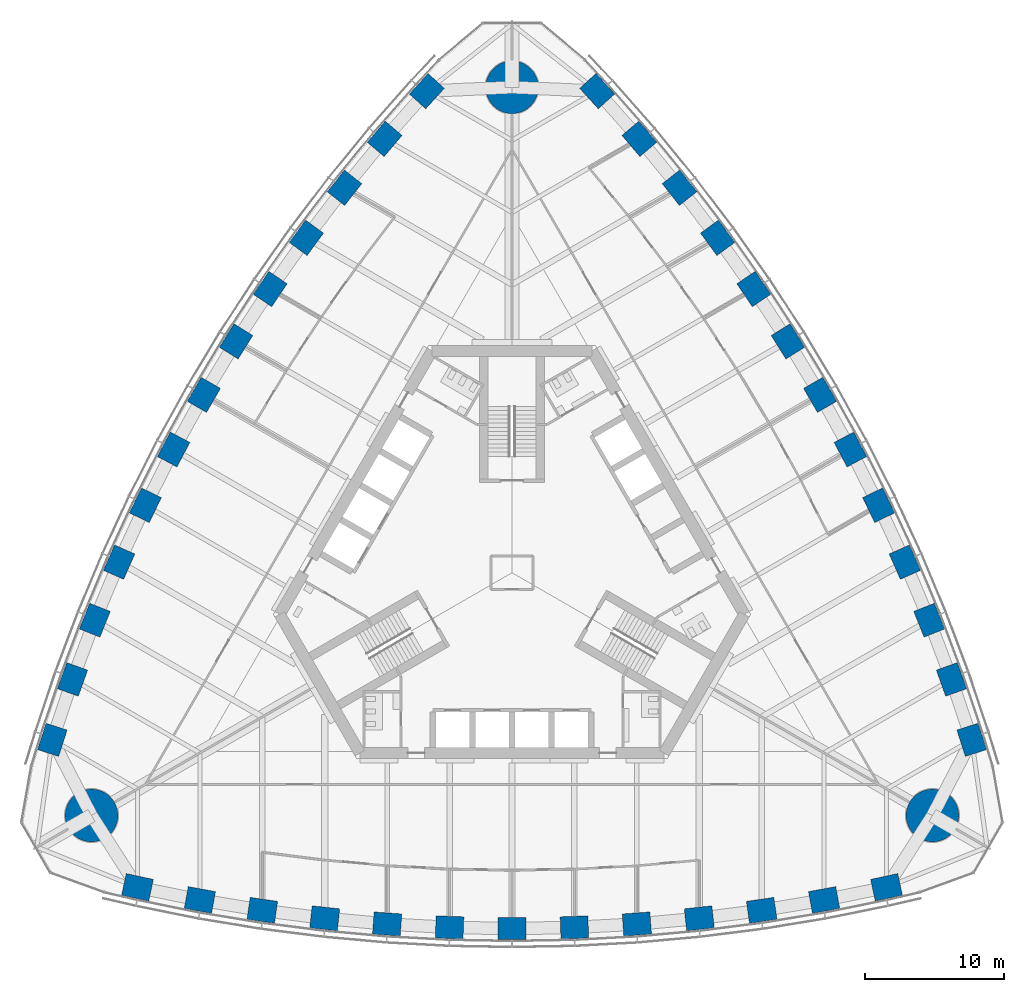
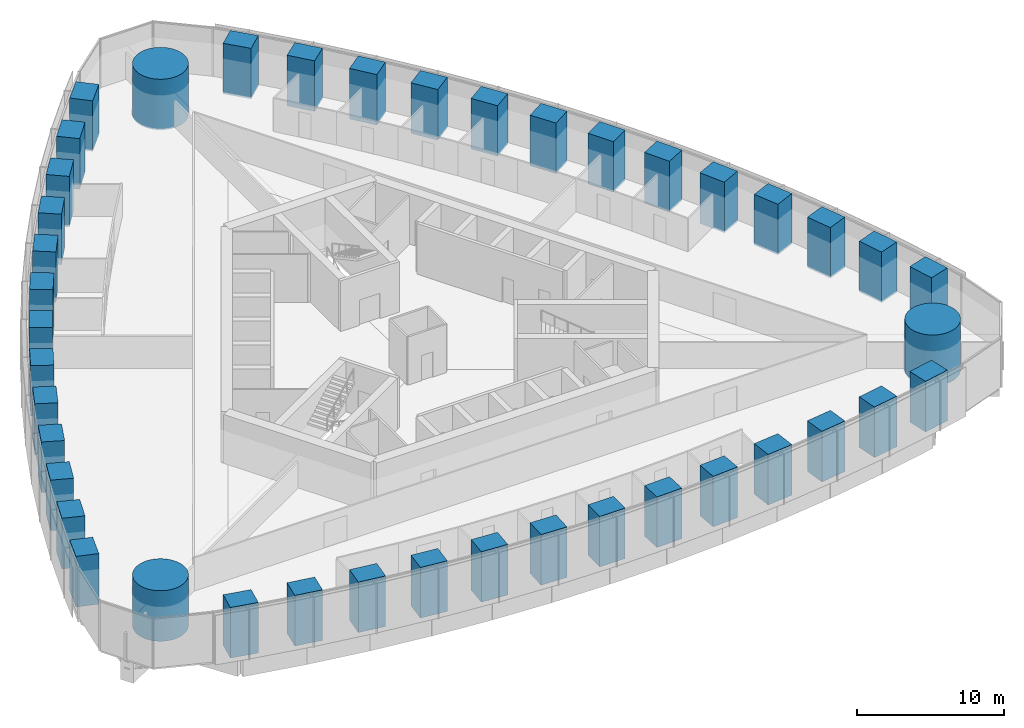
# One storey, part 1 of 19: 42 columns.
"""IFC4 building model written with IfcOpenShell, lengths in metres."""

from ifc_helpers import new_model, si_unit, direction, frame, origin, origin_2d, place, context, subcontext, project, spatial, rectangle, circle, extrude, material, material_profile, profile_set, type_object, element, save


model = new_model("IFC4")

# Units and contexts
model_context = context("Model", 3, precision=1e-05, world=origin(), true_north=direction((0.0, 1.0)))
body_context = subcontext(model_context, "Body", "Model", "MODEL_VIEW")
ifc_project = project(units=[si_unit("LENGTHUNIT", "METRE"), si_unit("AREAUNIT", "SQUARE_METRE"), si_unit("VOLUMEUNIT", "CUBIC_METRE"), si_unit("PLANEANGLEUNIT", "RADIAN"), si_unit("MASSUNIT", "GRAM", prefix="KILO")], contexts=[model_context])

# Site, building, storey
site_placement = place(None, origin())
site = spatial("IfcSite", under=ifc_project, at=site_placement, CompositionType="ELEMENT")
building_placement = place(site_placement, origin())
building = spatial("IfcBuilding", under=site, at=building_placement, Name="Trefoil Bronze Tower", CompositionType="ELEMENT")
storey_placement = place(building_placement, frame((0.0, 0.0, 166.10009765625)))
storey = spatial("IfcBuildingStorey", under=building, at=storey_placement, Name="L38", CompositionType="ELEMENT", Elevation=166.10009765625)

# Columns
ifc_material_1 = material(Name="Concrete B80", Category="concrete")
ifc_material_profile_1 = material_profile(ifc_material_1, circle(Radius=1.89990234375, at=origin_2d()), Name="RC D3800")
ifc_profile_set_1 = profile_set([ifc_material_profile_1], Name="Concrete B80")
column_type_1 = type_object("IfcColumnType", Name="Mega column RC D3800", PredefinedType="COLUMN", material=ifc_profile_set_1)
for number, where, z_axis, x_axis, name in (
    (1, (30.310791015625, -17.5, 0.0), (0.0, 0.0, 1.0), (1.0, 0.0, 0.0), "Mega column K1 L38"),
    (2, (0.0, 35.0, 0.0), (0.0, 0.0, 1.0), (1.0, 0.0, 0.0), "Mega column K2 L38"),
    (3, (-30.310791015625, -17.5, 0.0), (0.0, 0.0, 1.0), (1.0, 0.0, 0.0), "Mega column K3 L38"),
):
    element("IfcColumn", number, at=place(storey_placement, frame(where, z_axis=z_axis, x_axis=x_axis)), inside=storey, type_object=column_type_1, Name=name, PredefinedType="COLUMN", context=body_context, shape_type="SweptSolid", body=[
        extrude(circle(Radius=1.89990234375, at=origin_2d()), origin(), (0.0, 0.0, 1.0), 4.199951171875),
    ])
ifc_material_2 = material(Name="Concrete B80", Category="concrete")
ifc_material_profile_2 = material_profile(ifc_material_2, rectangle(XDim=2.0, YDim=1.60009765625, at=origin_2d()), Name="RC 2000x1600")
ifc_profile_set_2 = profile_set([ifc_material_profile_2], Name="Concrete B80")
column_type_2 = type_object("IfcColumnType", Name="Tube column RC 2000x1600", PredefinedType="COLUMN", material=ifc_profile_set_2)
for number, where, z_axis, x_axis, name in (
    (4, (-27.0, -22.67724609375, 0.0), (0.0, 0.0, 1.0), (0.977276081214, -0.21197042503, 0.0), "Tube column F1/-6 L38"),
    (5, (-22.5, -23.592529296875, 0.0), (0.0, 0.0, 1.0), (0.98362250613, -0.180240853954, 0.0), "Tube column F1/-5 L38"),
    (6, (-18.0, -24.337158203125, 0.0), (0.0, 0.0, 1.0), (0.989549714366, -0.144192103798, 0.0), "Tube column F1/-4 L38"),
    (7, (-13.5, -24.9130859375, 0.0), (0.0, 0.0, 1.0), (0.994135267447, -0.108143747013, 0.0), "Tube column F1/-3 L38"),
    (8, (-9.0, -25.32275390625, 0.0), (0.0, 0.0, 1.0), (0.997397720802, -0.072095676284, 0.0), "Tube column F1/-2 L38"),
    (9, (-4.5, -25.568115234375, 0.0), (0.0, 0.0, 1.0), (0.999350067136, -0.036047792107, 0.0), "Tube column F1/-1 L38"),
    (10, (0.0, -25.649658203125, 0.0), (0.0, 0.0, 1.0), (1.0, 0.0, 0.0), "Tube column F1/+0 L38"),
    (11, (4.5, -25.568115234375, 0.0), (0.0, 0.0, 1.0), (0.999350067136, 0.036047792107, 0.0), "Tube column F1/+1 L38"),
    (12, (9.0, -25.32275390625, 0.0), (0.0, 0.0, 1.0), (0.997397720802, 0.072095676284, 0.0), "Tube column F1/+2 L38"),
    (13, (13.5, -24.9130859375, 0.0), (0.0, 0.0, 1.0), (0.994135267447, 0.108143747013, 0.0), "Tube column F1/+3 L38"),
    (14, (18.0, -24.337158203125, 0.0), (0.0, 0.0, 1.0), (0.989549714366, 0.144192103798, 0.0), "Tube column F1/+4 L38"),
    (15, (22.5, -23.592529296875, 0.0), (0.0, 0.0, 1.0), (0.98362250613, 0.180240853954, 0.0), "Tube column F1/+5 L38"),
    (16, (27.0, -22.67724609375, 0.0), (0.0, 0.0, 1.0), (0.977276081214, 0.21197042503, 0.0), "Tube column F1/+6 L38"),
    (17, (33.13916015625, -12.044189453125, 0.0), (0.0, 0.0, 1.0), (-0.30506626768, 0.952331125357, 0.0), "Tube column F2/-6 L38"),
    (18, (31.681884765625, -7.689208984375, 0.0), (0.0, 0.0, 1.0), (-0.335718094742, 0.94196250502, 0.0), "Tube column F2/-5 L38"),
    (19, (30.07666015625, -3.419921875, 0.0), (0.0, 0.0, 1.0), (-0.369900832269, 0.929071242848, 0.0), "Tube column F2/-4 L38"),
    (20, (28.325439453125, 0.76513671875, 0.0), (0.0, 0.0, 1.0), (-0.40341240155, 0.915018269914, 0.0), "Tube column F2/-3 L38"),
    (21, (26.43017578125, 4.8671875, 0.0), (0.0, 0.0, 1.0), (-0.436262173236, 0.899819602033, 0.0), "Tube column F2/-2 L38"),
    (22, (24.392578125, 8.886962890625, 0.0), (0.0, 0.0, 1.0), (-0.468456729853, 0.883486441467, 0.0), "Tube column F2/-1 L38"),
    (23, (22.21337890625, 12.824951171875, 0.0), (0.0, 0.0, 1.0), (-0.5, 0.866025403784, 0.0), "Tube column F2/+0 L38"),
    (24, (19.892578125, 16.68115234375, 0.0), (0.0, 0.0, 1.0), (-0.530893337283, 0.84743864936, 0.0), "Tube column F2/+1 L38"),
    (25, (17.43017578125, 20.45556640625, 0.0), (0.0, 0.0, 1.0), (-0.561135547566, 0.827723925749, 0.0), "Tube column F2/+2 L38"),
    (26, (14.825439453125, 24.14794921875, 0.0), (0.0, 0.0, 1.0), (-0.590722865897, 0.806874522901, 0.0), "Tube column F2/+3 L38"),
    (27, (12.07666015625, 27.757080078125, 0.0), (0.0, 0.0, 1.0), (-0.619648882098, 0.78487913905, 0.0), "Tube column F2/+4 L38"),
    (28, (9.181884765625, 31.281982421875, 0.0), (0.0, 0.0, 1.0), (-0.647904411389, 0.761721651066, 0.0), "Tube column F2/+5 L38"),
    (29, (6.13916015625, 34.72119140625, 0.0), (0.0, 0.0, 1.0), (-0.672209813534, 0.740360700327, 0.0), "Tube column F2/+6 L38"),
    (30, (-6.13916015625, 34.72119140625, 0.0), (0.0, 0.0, 1.0), (-0.672209813534, -0.740360700327, 0.0), "Tube column F3/-6 L38"),
    (31, (-9.181884765625, 31.281982421875, 0.0), (0.0, 0.0, 1.0), (-0.647904411389, -0.761721651066, 0.0), "Tube column F3/-5 L38"),
    (32, (-12.07666015625, 27.757080078125, 0.0), (0.0, 0.0, 1.0), (-0.619648882098, -0.78487913905, 0.0), "Tube column F3/-4 L38"),
    (33, (-14.825439453125, 24.14794921875, 0.0), (0.0, 0.0, 1.0), (-0.590722865897, -0.806874522901, 0.0), "Tube column F3/-3 L38"),
    (34, (-17.43017578125, 20.45556640625, 0.0), (0.0, 0.0, 1.0), (-0.561135547566, -0.827723925749, 0.0), "Tube column F3/-2 L38"),
    (35, (-19.892578125, 16.68115234375, 0.0), (0.0, 0.0, 1.0), (-0.530893337283, -0.84743864936, 0.0), "Tube column F3/-1 L38"),
    (36, (-22.21337890625, 12.824951171875, 0.0), (0.0, 0.0, 1.0), (-0.5, -0.866025403784, 0.0), "Tube column F3/+0 L38"),
    (37, (-24.392578125, 8.886962890625, 0.0), (0.0, 0.0, 1.0), (-0.468456729853, -0.883486441467, 0.0), "Tube column F3/+1 L38"),
    (38, (-26.43017578125, 4.8671875, 0.0), (0.0, 0.0, 1.0), (-0.436262173236, -0.899819602033, 0.0), "Tube column F3/+2 L38"),
    (39, (-28.325439453125, 0.76513671875, 0.0), (0.0, 0.0, 1.0), (-0.40341240155, -0.915018269914, 0.0), "Tube column F3/+3 L38"),
    (40, (-30.07666015625, -3.419921875, 0.0), (0.0, 0.0, 1.0), (-0.369900832269, -0.929071242848, 0.0), "Tube column F3/+4 L38"),
    (41, (-31.681884765625, -7.689208984375, 0.0), (0.0, 0.0, 1.0), (-0.335718094742, -0.94196250502, 0.0), "Tube column F3/+5 L38"),
    (42, (-33.13916015625, -12.044189453125, 0.0), (0.0, 0.0, 1.0), (-0.30506626768, -0.952331125357, 0.0), "Tube column F3/+6 L38"),
):
    element("IfcColumn", number, at=place(storey_placement, frame(where, z_axis=z_axis, x_axis=x_axis)), inside=storey, type_object=column_type_2, Name=name, PredefinedType="COLUMN", context=body_context, shape_type="SweptSolid", body=[
        extrude(rectangle(XDim=2.0, YDim=1.60009765625, at=origin_2d()), origin(), (0.0, 0.0, 1.0), 4.199951171875),
    ])

save(model, "model.ifc")
